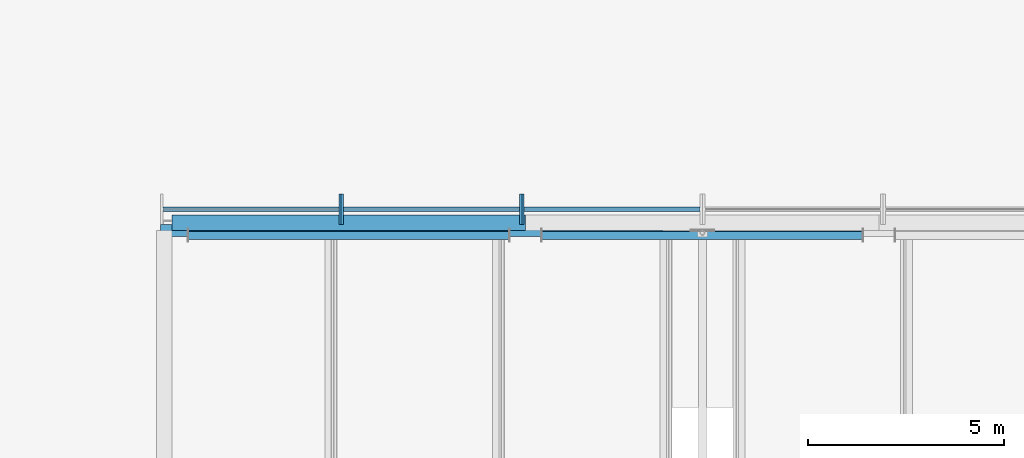
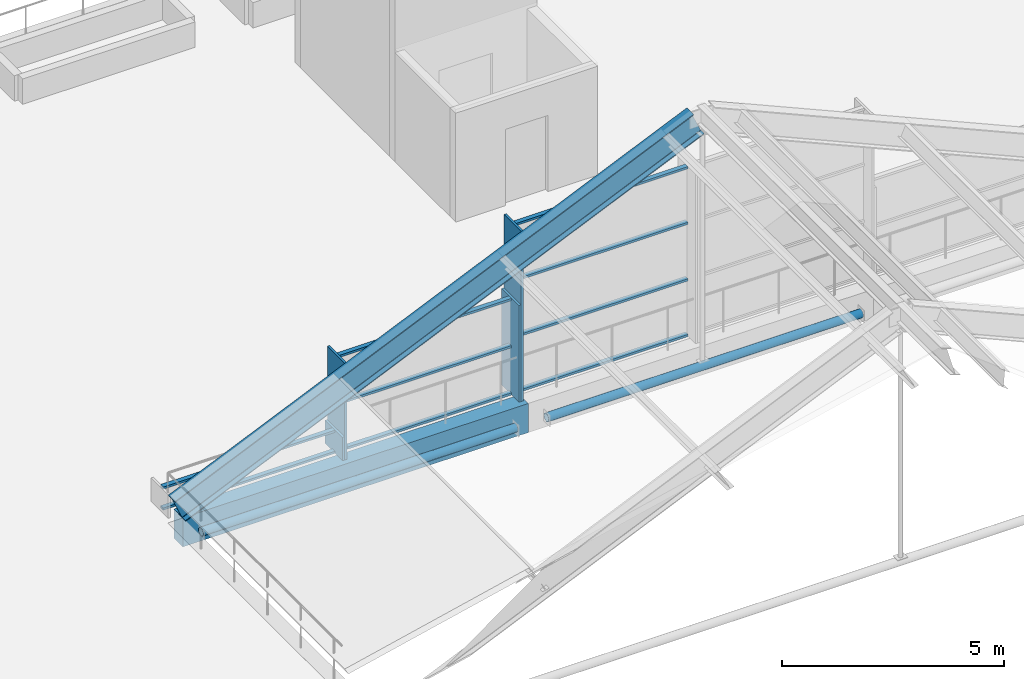
# One storey, part 44 of 106: 15 members, 2 beams, 3 elements without a shape of their own.
"""IFC4 building model written with IfcOpenShell, lengths in metres."""

from ifc_helpers import new_model, si_unit, direction, frame, origin, origin_2d, place, context, subcontext, project, spatial, rectangle, hollow_circle, i_section, extrude, material, layer, layer_set, material_profile, profile_set, type_object, element, aggregate, save


model = new_model("IFC4")

# Units and contexts
model_context = context("Model", 3, precision=1e-05, world=origin(), true_north=direction((0.0, 1.0)))
body_context = subcontext(model_context, "Body", "Model", "MODEL_VIEW")
ifc_project = project(units=[si_unit("LENGTHUNIT", "METRE"), si_unit("AREAUNIT", "SQUARE_METRE"), si_unit("VOLUMEUNIT", "CUBIC_METRE"), si_unit("PLANEANGLEUNIT", "RADIAN"), si_unit("MASSUNIT", "GRAM", prefix="KILO")], contexts=[model_context])

# Site, building, storey
site_placement = place(None, origin())
site = spatial("IfcSite", under=ifc_project, at=site_placement, CompositionType="ELEMENT")
building_placement = place(site_placement, origin())
building = spatial("IfcBuilding", under=site, at=building_placement, Name="Guidao Yard Department Store", CompositionType="ELEMENT")
storey_placement = place(building_placement, frame((0.0, 0.0, 10.5)))
storey = spatial("IfcBuildingStorey", under=building, at=storey_placement, Name="L02", CompositionType="ELEMENT", Elevation=10.5)

# Members
ifc_material_1 = material(Name="Steel Q355B", Category="steel")
ifc_material_profile_1 = material_profile(ifc_material_1, hollow_circle(Radius=0.109619140625, WallThickness=0.010009765625, at=origin_2d()), Name="CHS 219x10")
ifc_profile_set_1 = profile_set([ifc_material_profile_1], Name="Steel Q355B")
member_type_1 = type_object("IfcMemberType", Name="CHS 219x10", PredefinedType="BRACE", material=ifc_profile_set_1)
for number, where, z_axis, x_axis, name in (
    (1, (126.39990234375, 89.8798828125, -0.449951171875), (1.0, 0.0, 0.0), (0.0, 1.0, 0.0), "Roof tie rod F05-1"),
    (2, (135.39990234375, 89.8798828125, -0.449951171875), (1.0, 0.0, 0.0), (0.0, 1.0, 0.0), "Roof tie rod F05-2"),
):
    element("IfcMember", number, at=place(storey_placement, frame(where, z_axis=z_axis, x_axis=x_axis)), inside=storey, type_object=member_type_1, Name=name, PredefinedType="BRACE", context=body_context, shape_type="SweptSolid", body=[
        extrude(hollow_circle(Radius=0.109619140625, WallThickness=0.010009765625, at=origin_2d()), origin(), (0.0, 0.0, 1.0), 8.2001953125),
    ])

# Beam
ifc_material_2 = material(Name="Steel Q355B", Category="steel")
ifc_material_profile_2 = material_profile(ifc_material_2, i_section(OverallWidth=0.300048828125, OverallDepth=0.699951171875, WebThickness=0.012939453125, FlangeThickness=0.02392578125, FilletRadius=0.01806640625, at=origin_2d()), Name="HN 700x300x13x24")
ifc_profile_set_2 = profile_set([ifc_material_profile_2], Name="Steel Q355B")
beam_type_1 = type_object("IfcBeamType", Name="HN 700x300x13x24", PredefinedType="BEAM", material=ifc_profile_set_2)
beam_1_placement = place(storey_placement, frame((125.84423828125, 90.0, 0.3203125), z_axis=(0.915522684048, 0.0, 0.402266348323), x_axis=(0.0, 1.0, 0.0)))
element("IfcBeam", 3, at=beam_1_placement, inside=storey, type_object=beam_type_1, Name="Roof rib F05-01", PredefinedType="BEAM", context=body_context, shape_type="SweptSolid", body=[
    extrude(i_section(OverallWidth=0.300048828125, OverallDepth=0.699951171875, WebThickness=0.012939453125, FlangeThickness=0.02392578125, FilletRadius=0.01806640625, at=origin_2d()), origin(), (0.0, 0.0, 1.0), 14.761962890625),
])

# Curtain wall, member
ifc_material_3 = material(Name="Aluminium and glass", Category="aluminium")
ifc_layer = layer(ifc_material_3, 0.159912109375)
ifc_layer_set = layer_set([ifc_layer], Name="Gable glazing CW7 1500 module")
curtain_wall_type = type_object("IfcCurtainWallType", Name="Gable glazing CW7 1500 module", PredefinedType="NOTDEFINED", material=ifc_layer_set)
curtain_wall_1_placement = place(storey_placement, origin())
curtain_wall_1 = element("IfcCurtainWall", 4, at=curtain_wall_1_placement, inside=storey, type_object=curtain_wall_type, Name="Gable glazing FN1", PredefinedType="NOTDEFINED")
ifc_material_4 = material(Name="Aluminium 6063-T5", Category="aluminium")
ifc_material_profile_3 = material_profile(ifc_material_4, rectangle(XDim=0.06005859375, YDim=0.780029296875, at=origin_2d()), Name="Mullion M3 60 x 780 aluminium pressure plate")
ifc_profile_set_3 = profile_set([ifc_material_profile_3], Name="Aluminium 6063-T5")
member_type_2 = type_object("IfcMemberType", Name="Mullion M3 60 x 780 aluminium pressure plate", PredefinedType="MULLION", material=ifc_profile_set_3)
member_1_placement = place(storey_placement, frame((130.272216796875, 90.5400390625, 0.0), z_axis=(0.0, 0.0, 1.0), x_axis=(1.0, 0.0, 0.0)))
member_1 = element("IfcMember", 5, at=member_1_placement, type_object=member_type_2, Name="CW-TFN1 mullion 2", PredefinedType="MULLION", context=body_context, shape_type="SweptSolid", body=[
    extrude(rectangle(XDim=0.06005859375, YDim=0.780029296875, at=origin_2d()), origin(), (0.0, 0.0, 1.0), 0.640869140625),
])

# Curtain wall, members
curtain_wall_2_placement = place(storey_placement, origin())
curtain_wall_2 = element("IfcCurtainWall", 6, at=curtain_wall_2_placement, inside=storey, type_object=curtain_wall_type, Name="Gable glazing FN2", PredefinedType="NOTDEFINED")
member_2_placement = place(storey_placement, frame((130.332275390625, 90.5400390625, 0.0), z_axis=(0.0, 0.0, 1.0), x_axis=(1.0, 0.0, 0.0)))
member_2 = element("IfcMember", 7, at=member_2_placement, type_object=member_type_2, Name="CW-TFN2 mullion 1", PredefinedType="MULLION", context=body_context, shape_type="SweptSolid", body=[
    extrude(rectangle(XDim=0.06005859375, YDim=0.780029296875, at=origin_2d()), origin(), (0.0, 0.0, 1.0), 2.661376953125),
])
member_3_placement = place(storey_placement, frame((134.87109375, 90.5400390625, 0.0), z_axis=(0.0, 0.0, 1.0), x_axis=(1.0, 0.0, 0.0)))
member_3 = element("IfcMember", 8, at=member_3_placement, type_object=member_type_2, Name="CW-TFN2 mullion 2", PredefinedType="MULLION", context=body_context, shape_type="SweptSolid", body=[
    extrude(rectangle(XDim=0.06005859375, YDim=0.780029296875, at=origin_2d()), origin(), (0.0, 0.0, 1.0), 2.661376953125),
])

# Curtain wall, member
curtain_wall_3_placement = place(storey_placement, origin())
curtain_wall_3 = element("IfcCurtainWall", 9, at=curtain_wall_3_placement, inside=storey, type_object=curtain_wall_type, Name="Gable glazing FN3", PredefinedType="NOTDEFINED")
member_4_placement = place(storey_placement, frame((134.93115234375, 90.5400390625, 0.0), z_axis=(0.0, 0.0, 1.0), x_axis=(1.0, 0.0, 0.0)))
member_4 = element("IfcMember", 10, at=member_4_placement, type_object=member_type_2, Name="CW-TFN3 mullion 1", PredefinedType="MULLION", context=body_context, shape_type="SweptSolid", body=[
    extrude(rectangle(XDim=0.06005859375, YDim=0.780029296875, at=origin_2d()), origin(), (0.0, 0.0, 1.0), 4.68212890625),
])

# Member
ifc_material_5 = material(Name="Aluminium 6063-T5", Category="aluminium")
ifc_material_profile_4 = material_profile(ifc_material_5, rectangle(XDim=0.1201171875, YDim=0.06005859375, at=origin_2d()), Name="Transom T1 60 x 120 aluminium pressure plate")
ifc_profile_set_4 = profile_set([ifc_material_profile_4], Name="Aluminium 6063-T5")
member_type_3 = type_object("IfcMemberType", Name="Transom T1 60 x 120 aluminium pressure plate", PredefinedType="USERDEFINED", material=ifc_profile_set_4)
member_5_placement = place(storey_placement, frame((125.763427734375, 90.5400390625, 0.030029296875), z_axis=(1.0, 0.0, 0.0), x_axis=(0.0, 1.0, 0.0)))
member_5 = element("IfcMember", 11, at=member_5_placement, type_object=member_type_3, Name="CW-TFN1 transom 1.1", ObjectType="TRANSOM", PredefinedType="USERDEFINED", context=body_context, shape_type="SweptSolid", body=[
    extrude(rectangle(XDim=0.1201171875, YDim=0.06005859375, at=origin_2d()), origin(), (0.0, 0.0, 1.0), 4.478759765625),
])

member_6_placement = place(storey_placement, frame((125.763427734375, 90.5400390625, 0.61083984375), z_axis=(1.0, 0.0, 0.0), x_axis=(0.0, 1.0, 0.0)))
member_6 = element("IfcMember", 12, at=member_6_placement, type_object=member_type_3, Name="CW-TFN1 transom 1.2", ObjectType="TRANSOM", PredefinedType="USERDEFINED", context=body_context, shape_type="SweptSolid", body=[
    extrude(rectangle(XDim=0.1201171875, YDim=0.06005859375, at=origin_2d()), origin(), (0.0, 0.0, 1.0), 4.478759765625),
])

aggregate(curtain_wall_1, [member_1, member_5, member_6])

member_7_placement = place(storey_placement, frame((130.3623046875, 90.5400390625, 0.030029296875), z_axis=(1.0, 0.0, 0.0), x_axis=(0.0, 1.0, 0.0)))
member_7 = element("IfcMember", 13, at=member_7_placement, type_object=member_type_3, Name="CW-TFN2 transom 1.1", ObjectType="TRANSOM", PredefinedType="USERDEFINED", context=body_context, shape_type="SweptSolid", body=[
    extrude(rectangle(XDim=0.1201171875, YDim=0.06005859375, at=origin_2d()), origin(), (0.0, 0.0, 1.0), 4.478759765625),
])

member_8_placement = place(storey_placement, frame((130.3623046875, 90.5400390625, 1.330810546875), z_axis=(1.0, 0.0, 0.0), x_axis=(0.0, 1.0, 0.0)))
member_8 = element("IfcMember", 14, at=member_8_placement, type_object=member_type_3, Name="CW-TFN2 transom 1.2", ObjectType="TRANSOM", PredefinedType="USERDEFINED", context=body_context, shape_type="SweptSolid", body=[
    extrude(rectangle(XDim=0.1201171875, YDim=0.06005859375, at=origin_2d()), origin(), (0.0, 0.0, 1.0), 4.478759765625),
])

member_9_placement = place(storey_placement, frame((130.3623046875, 90.5400390625, 2.631591796875), z_axis=(1.0, 0.0, 0.0), x_axis=(0.0, 1.0, 0.0)))
member_9 = element("IfcMember", 15, at=member_9_placement, type_object=member_type_3, Name="CW-TFN2 transom 1.3", ObjectType="TRANSOM", PredefinedType="USERDEFINED", context=body_context, shape_type="SweptSolid", body=[
    extrude(rectangle(XDim=0.1201171875, YDim=0.06005859375, at=origin_2d()), origin(), (0.0, 0.0, 1.0), 4.478759765625),
])

aggregate(curtain_wall_2, [member_2, member_3, member_7, member_8, member_9])

member_10_placement = place(storey_placement, frame((134.961181640625, 90.5400390625, 0.030029296875), z_axis=(1.0, 0.0, 0.0), x_axis=(0.0, 1.0, 0.0)))
member_10 = element("IfcMember", 16, at=member_10_placement, type_object=member_type_3, Name="CW-TFN3 transom 1.1", ObjectType="TRANSOM", PredefinedType="USERDEFINED", context=body_context, shape_type="SweptSolid", body=[
    extrude(rectangle(XDim=0.1201171875, YDim=0.06005859375, at=origin_2d()), origin(), (0.0, 0.0, 1.0), 4.478759765625),
])

member_11_placement = place(storey_placement, frame((134.961181640625, 90.5400390625, 1.560791015625), z_axis=(1.0, 0.0, 0.0), x_axis=(0.0, 1.0, 0.0)))
member_11 = element("IfcMember", 17, at=member_11_placement, type_object=member_type_3, Name="CW-TFN3 transom 1.2", ObjectType="TRANSOM", PredefinedType="USERDEFINED", context=body_context, shape_type="SweptSolid", body=[
    extrude(rectangle(XDim=0.1201171875, YDim=0.06005859375, at=origin_2d()), origin(), (0.0, 0.0, 1.0), 4.478759765625),
])

member_12_placement = place(storey_placement, frame((134.961181640625, 90.5400390625, 3.121337890625), z_axis=(1.0, 0.0, 0.0), x_axis=(0.0, 1.0, 0.0)))
member_12 = element("IfcMember", 18, at=member_12_placement, type_object=member_type_3, Name="CW-TFN3 transom 1.3", ObjectType="TRANSOM", PredefinedType="USERDEFINED", context=body_context, shape_type="SweptSolid", body=[
    extrude(rectangle(XDim=0.1201171875, YDim=0.06005859375, at=origin_2d()), origin(), (0.0, 0.0, 1.0), 4.478759765625),
])

member_13_placement = place(storey_placement, frame((134.961181640625, 90.5400390625, 4.652099609375), z_axis=(1.0, 0.0, 0.0), x_axis=(0.0, 1.0, 0.0)))
member_13 = element("IfcMember", 19, at=member_13_placement, type_object=member_type_3, Name="CW-TFN3 transom 1.4", ObjectType="TRANSOM", PredefinedType="USERDEFINED", context=body_context, shape_type="SweptSolid", body=[
    extrude(rectangle(XDim=0.1201171875, YDim=0.06005859375, at=origin_2d()), origin(), (0.0, 0.0, 1.0), 4.478759765625),
])

aggregate(curtain_wall_3, [member_4, member_10, member_11, member_12, member_13])

# Beam
ifc_material_6 = material(Name="Concrete C40", Category="concrete")
ifc_material_profile_5 = material_profile(ifc_material_6, rectangle(XDim=0.39990234375, YDim=0.800048828125, at=origin_2d()), Name="Vault bearing beam 400 x 800 C40")
ifc_profile_set_5 = profile_set([ifc_material_profile_5], Name="Concrete C40")
beam_type_2 = type_object("IfcBeamType", Name="Vault bearing beam 400 x 800 C40", PredefinedType="BEAM", material=ifc_profile_set_5)
beam_2_placement = place(storey_placement, frame((126.0, 90.199951171875, -0.39990234375), z_axis=(1.0, 0.0, 0.0), x_axis=(0.0, 1.0, 0.0)))
element("IfcBeam", 20, at=beam_2_placement, inside=storey, type_object=beam_type_2, Name="Beam VB05", PredefinedType="BEAM", context=body_context, shape_type="SweptSolid", body=[
    extrude(rectangle(XDim=0.39990234375, YDim=0.800048828125, at=origin_2d()), origin(), (0.0, 0.0, 1.0), 9.0),
])

save(model, "model.ifc")
